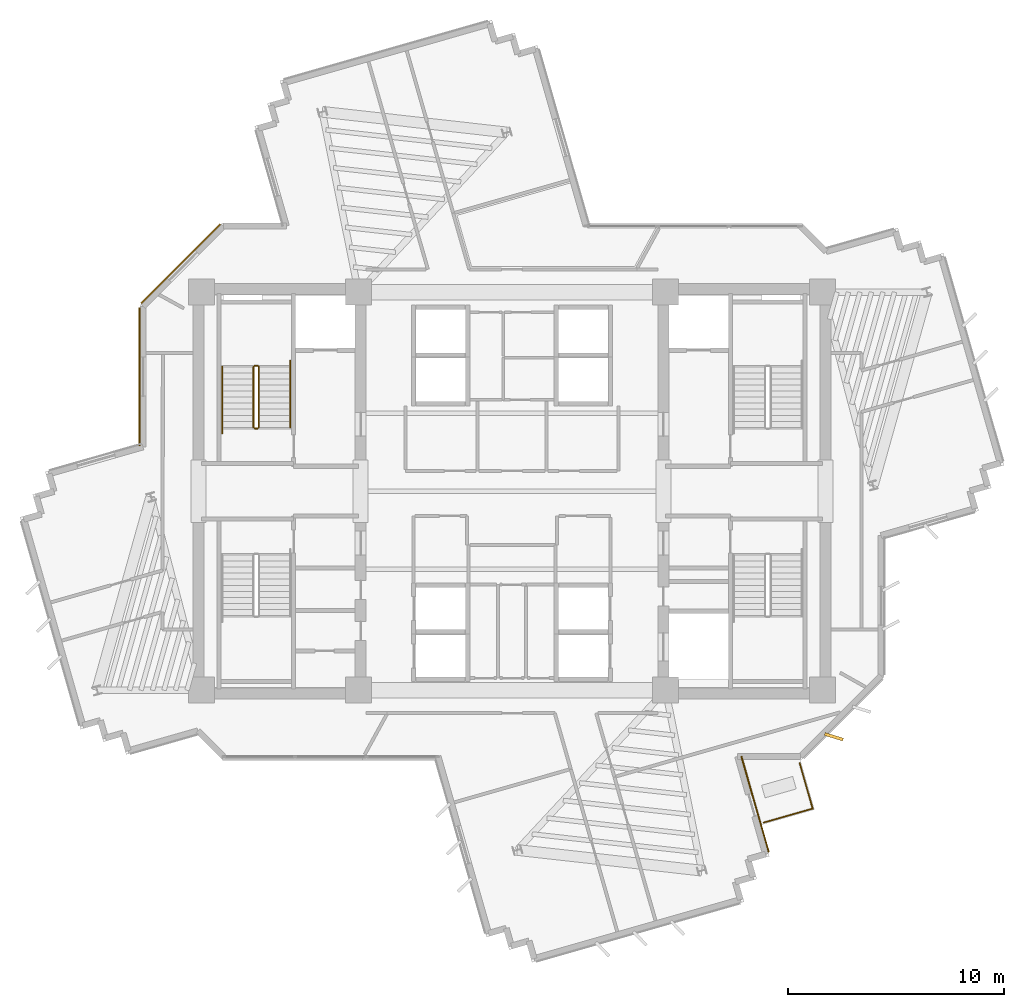
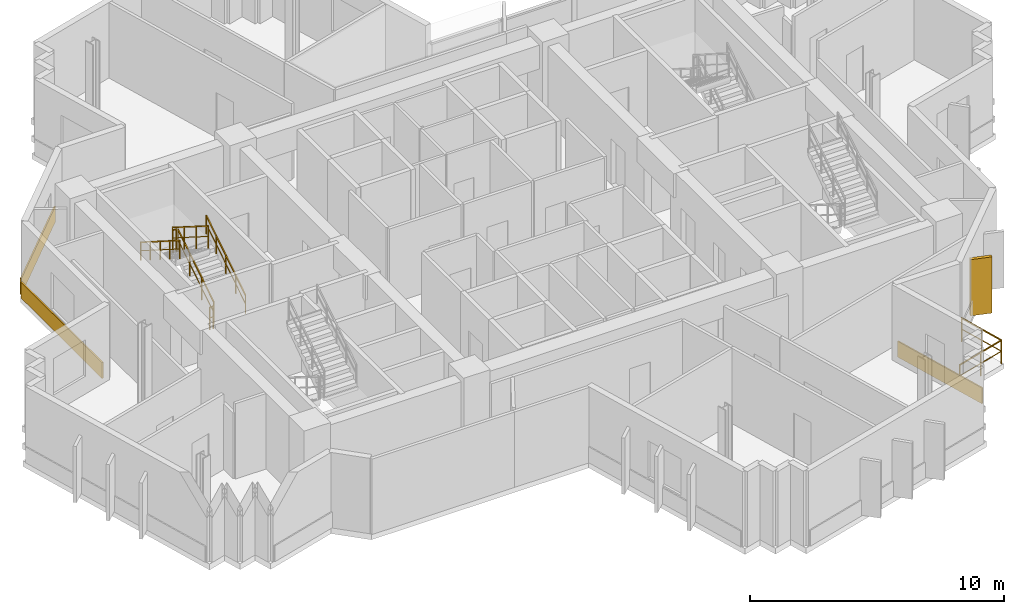
# One storey, part 12 of 14: 8 railings, 4 coverings.
"""IFC4 building model written with IfcOpenShell, lengths in metres."""

from ifc_helpers import new_model, si_unit, direction, frame, origin, origin_2d, place, context, subcontext, project, spatial, rectangle, extrude, source, transform, mapped, material, layer, layer_set, type_object, element, save


model = new_model("IFC4")

# Units and contexts
model_context = context("Model", 3, precision=1e-05, world=origin(), true_north=direction((0.0, 1.0)))
body_context = subcontext(model_context, "Body", "Model", "MODEL_VIEW")
ifc_project = project(units=[si_unit("LENGTHUNIT", "METRE"), si_unit("AREAUNIT", "SQUARE_METRE"), si_unit("VOLUMEUNIT", "CUBIC_METRE"), si_unit("PLANEANGLEUNIT", "RADIAN"), si_unit("MASSUNIT", "GRAM", prefix="KILO")], contexts=[model_context])

# Site, building, storey
site_placement = place(None, origin())
site = spatial("IfcSite", under=ifc_project, at=site_placement, CompositionType="ELEMENT")
building_placement = place(site_placement, origin())
building = spatial("IfcBuilding", under=site, at=building_placement, Name="Zahravan Cultural Tower", CompositionType="ELEMENT")
storey_placement = place(building_placement, frame((0.0, 0.0, 209.699951171875)))
storey = spatial("IfcBuildingStorey", under=building, at=storey_placement, Name="L49", CompositionType="ELEMENT", Elevation=209.699951171875)

# Railings
ifc_material_1 = material(Name="Steel ASTM A572 Grade 50", Category="steel")
railing_type_1 = type_object("IfcRailingType", Name="RL-BAL-1150", PredefinedType="BALUSTRADE", material=ifc_material_1)
railing_1_placement = place(storey_placement, frame((49.900634765625, 12.32666015625, 0.0)))
element("IfcRailing", 1, at=railing_1_placement, inside=storey, type_object=railing_type_1, Name="L49 Edge Balustrade GRD-TR-L49-SE-01", PredefinedType="BALUSTRADE", context=body_context, shape_type="SweptSolid", body=[
    extrude(rectangle(XDim=0.05, YDim=0.05, at=origin_2d()), frame((0.0, 0.0, 1.125), z_axis=(-0.9614494292, -0.274981808654, 0.0), x_axis=(0.274981808654, -0.9614494292, 0.0)), (0.0, 0.0, 1.0), 2.35009765625),
    extrude(rectangle(XDim=0.032, YDim=0.032, at=origin_2d()), frame((0.0, 0.0, 0.597900390625), z_axis=(-0.9614494292, -0.274981808654, 0.0), x_axis=(0.274981808654, -0.9614494292, 0.0)), (0.0, 0.0, 1.0), 2.35009765625),
    extrude(rectangle(XDim=0.04, YDim=0.04, at=origin_2d()), origin(), (0.0, 0.0, 1.0), 1.14990234375),
    extrude(rectangle(XDim=0.04, YDim=0.04, at=origin_2d()), frame((-1.1298828125, -0.3232421875, 0.0)), (0.0, 0.0, 1.0), 1.14990234375),
    extrude(rectangle(XDim=0.04, YDim=0.04, at=origin_2d()), frame((-2.259521484375, -0.646240234375, 0.0)), (0.0, 0.0, 1.0), 1.14990234375),
])
railing_2_placement = place(storey_placement, frame((49.3017578125, 14.419921875, 0.0)))
element("IfcRailing", 2, at=railing_2_placement, inside=storey, type_object=railing_type_1, Name="L49 Edge Balustrade GRD-TR-L49-SE-02", PredefinedType="BALUSTRADE", context=body_context, shape_type="SweptSolid", body=[
    extrude(rectangle(XDim=0.05, YDim=0.05, at=origin_2d()), frame((0.0, 0.0, 1.125), z_axis=(0.275061740463, -0.961426564504, 0.0), x_axis=(0.961426564504, 0.275061740463, 0.0)), (0.0, 0.0, 1.0), 2.17724609375),
    extrude(rectangle(XDim=0.032, YDim=0.032, at=origin_2d()), frame((0.0, 0.0, 0.597900390625), z_axis=(0.275061740463, -0.961426564504, 0.0), x_axis=(0.961426564504, 0.275061740463, 0.0)), (0.0, 0.0, 1.0), 2.17724609375),
    extrude(rectangle(XDim=0.04, YDim=0.04, at=origin_2d()), origin(), (0.0, 0.0, 1.0), 1.14990234375),
    extrude(rectangle(XDim=0.04, YDim=0.04, at=origin_2d()), frame((0.29931640625, -1.046630859375, 0.0)), (0.0, 0.0, 1.0), 1.14990234375),
    extrude(rectangle(XDim=0.04, YDim=0.04, at=origin_2d()), frame((0.598876953125, -2.09326171875, 0.0)), (0.0, 0.0, 1.0), 1.14990234375),
])
railing_type_2 = type_object("IfcRailingType", Name="RL-STAIR-GRD1150", PredefinedType="BALUSTRADE", material=ifc_material_1)
railing_3_placement = place(storey_placement, frame((24.300048828125, 29.949951171875, 0.17724609375)))
element("IfcRailing", 3, at=railing_3_placement, inside=storey, type_object=railing_type_2, Name="L49 ST-W1 stair guard 1", PredefinedType="BALUSTRADE", context=body_context, shape_type="SweptSolid", body=[
    extrude(rectangle(XDim=0.05, YDim=0.05, at=origin_2d()), frame((0.0, 0.0, 1.0751953125), z_axis=(0.0, 0.844908973607, 0.534910110503), x_axis=(-1.0, 0.0, 0.0)), (0.0, 0.0, 1.0), 3.31396484375),
    extrude(rectangle(XDim=0.032, YDim=0.032, at=origin_2d()), frame((0.0, 0.0, 0.572021484375), z_axis=(0.0, 0.844908973607, 0.534910110503), x_axis=(-1.0, 0.0, 0.0)), (0.0, 0.0, 1.0), 3.31396484375),
    extrude(rectangle(XDim=0.04, YDim=0.04, at=origin_2d()), origin(), (0.0, 0.0, 1.0), 1.10009765625),
    extrude(rectangle(XDim=0.04, YDim=0.04, at=origin_2d()), frame((0.0, 0.933349609375, 0.5908203125)), (0.0, 0.0, 1.0), 1.10009765625),
    extrude(rectangle(XDim=0.04, YDim=0.04, at=origin_2d()), frame((0.0, 1.86669921875, 1.181884765625)), (0.0, 0.0, 1.0), 1.10009765625),
    extrude(rectangle(XDim=0.04, YDim=0.04, at=origin_2d()), frame((0.0, 2.800048828125, 1.772705078125)), (0.0, 0.0, 1.0), 1.10009765625),
])
railing_4_placement = place(storey_placement, frame((24.25, 32.800048828125, 1.949951171875)))
element("IfcRailing", 4, at=railing_4_placement, inside=storey, type_object=railing_type_2, Name="L49 ST-W1 stair guard 2", PredefinedType="BALUSTRADE", context=body_context, shape_type="SweptSolid", body=[
    extrude(rectangle(XDim=0.05, YDim=0.05, at=origin_2d()), frame((0.0, 0.0, 1.0751953125), z_axis=(-1.0, 0.0, 0.0), x_axis=(0.0, -1.0, 0.0)), (0.0, 0.0, 1.0), 0.14990234375),
    extrude(rectangle(XDim=0.032, YDim=0.032, at=origin_2d()), frame((0.0, 0.0, 0.572021484375), z_axis=(-1.0, 0.0, 0.0), x_axis=(0.0, -1.0, 0.0)), (0.0, 0.0, 1.0), 0.14990234375),
    extrude(rectangle(XDim=0.04, YDim=0.04, at=origin_2d()), origin(), (0.0, 0.0, 1.0), 1.10009765625),
    extrude(rectangle(XDim=0.04, YDim=0.04, at=origin_2d()), frame((-0.14990234375, 0.0, 0.0)), (0.0, 0.0, 1.0), 1.10009765625),
])
railing_5_placement = place(storey_placement, frame((24.050048828125, 32.75, 2.12744140625)))
element("IfcRailing", 5, at=railing_5_placement, inside=storey, type_object=railing_type_2, Name="L49 ST-W1 stair guard 3", PredefinedType="BALUSTRADE", context=body_context, shape_type="SweptSolid", body=[
    extrude(rectangle(XDim=0.05, YDim=0.05, at=origin_2d()), frame((0.0, 0.0, 1.0751953125), z_axis=(0.0, -0.844908973607, 0.534910110503), x_axis=(1.0, 0.0, 0.0)), (0.0, 0.0, 1.0), 3.31396484375),
    extrude(rectangle(XDim=0.032, YDim=0.032, at=origin_2d()), frame((0.0, 0.0, 0.572021484375), z_axis=(0.0, -0.844908973607, 0.534910110503), x_axis=(1.0, 0.0, 0.0)), (0.0, 0.0, 1.0), 3.31396484375),
    extrude(rectangle(XDim=0.04, YDim=0.04, at=origin_2d()), origin(), (0.0, 0.0, 1.0), 1.10009765625),
    extrude(rectangle(XDim=0.04, YDim=0.04, at=origin_2d()), frame((0.0, -0.933349609375, 0.5908203125)), (0.0, 0.0, 1.0), 1.10009765625),
    extrude(rectangle(XDim=0.04, YDim=0.04, at=origin_2d()), frame((0.0, -1.86669921875, 1.181884765625)), (0.0, 0.0, 1.0), 1.10009765625),
    extrude(rectangle(XDim=0.04, YDim=0.04, at=origin_2d()), frame((0.0, -2.800048828125, 1.772705078125)), (0.0, 0.0, 1.0), 1.10009765625),
])
railing_6_placement = place(storey_placement, frame((24.25, 29.89990234375, 0.0)))
element("IfcRailing", 6, at=railing_6_placement, inside=storey, type_object=railing_type_2, Name="L49 ST-W1 stair guard 4", PredefinedType="BALUSTRADE", context=body_context, shape_type="SweptSolid", body=[
    extrude(rectangle(XDim=0.05, YDim=0.05, at=origin_2d()), frame((0.0, 0.0, 1.0751953125), z_axis=(-1.0, 0.0, 0.0), x_axis=(0.0, -1.0, 0.0)), (0.0, 0.0, 1.0), 0.14990234375),
    extrude(rectangle(XDim=0.032, YDim=0.032, at=origin_2d()), frame((0.0, 0.0, 0.572021484375), z_axis=(-1.0, 0.0, 0.0), x_axis=(0.0, -1.0, 0.0)), (0.0, 0.0, 1.0), 0.14990234375),
    extrude(rectangle(XDim=0.04, YDim=0.04, at=origin_2d()), origin(), (0.0, 0.0, 1.0), 1.10009765625),
    extrude(rectangle(XDim=0.04, YDim=0.04, at=origin_2d()), frame((-0.14990234375, 0.0, 0.0)), (0.0, 0.0, 1.0), 1.10009765625),
])
railing_type_3 = type_object("IfcRailingType", Name="RL-STAIR-HR900", PredefinedType="HANDRAIL", material=ifc_material_1)
railing_7_placement = place(storey_placement, frame((25.75, 29.949951171875, 0.17724609375)))
element("IfcRailing", 7, at=railing_7_placement, inside=storey, type_object=railing_type_3, Name="L49 ST-W1 stair handrail 1", PredefinedType="HANDRAIL", context=body_context, shape_type="SweptSolid", body=[
    extrude(rectangle(XDim=0.05, YDim=0.05, at=origin_2d()), frame((0.0, 0.0, 0.875), z_axis=(0.0, 0.844883648757, 0.534950109882), x_axis=(-1.0, 0.0, 0.0)), (0.0, 0.0, 1.0), 3.6455078125),
    extrude(rectangle(XDim=0.032, YDim=0.032, at=origin_2d()), frame((0.0, 0.0, 0.468017578125), z_axis=(0.0, 0.844883648757, 0.534950109882), x_axis=(-1.0, 0.0, 0.0)), (0.0, 0.0, 1.0), 3.6455078125),
    extrude(rectangle(XDim=0.04, YDim=0.04, at=origin_2d()), origin(), (0.0, 0.0, 1.0), 0.89990234375),
    extrude(rectangle(XDim=0.04, YDim=0.04, at=origin_2d()), frame((0.0, 0.77001953125, 0.487548828125)), (0.0, 0.0, 1.0), 0.89990234375),
    extrude(rectangle(XDim=0.04, YDim=0.04, at=origin_2d()), frame((0.0, 1.5400390625, 0.97509765625)), (0.0, 0.0, 1.0), 0.89990234375),
    extrude(rectangle(XDim=0.04, YDim=0.04, at=origin_2d()), frame((0.0, 2.31005859375, 1.462646484375)), (0.0, 0.0, 1.0), 0.89990234375),
    extrude(rectangle(XDim=0.04, YDim=0.04, at=origin_2d()), frame((0.0, 3.080078125, 1.9501953125)), (0.0, 0.0, 1.0), 0.89990234375),
])
railing_8_placement = place(storey_placement, frame((22.60009765625, 32.75, 2.12744140625)))
element("IfcRailing", 8, at=railing_8_placement, inside=storey, type_object=railing_type_3, Name="L49 ST-W1 stair handrail 2", PredefinedType="HANDRAIL", context=body_context, shape_type="SweptSolid", body=[
    extrude(rectangle(XDim=0.05, YDim=0.05, at=origin_2d()), frame((0.0, 0.0, 0.875), z_axis=(0.0, -0.844913916606, 0.534902302785), x_axis=(1.0, 0.0, 0.0)), (0.0, 0.0, 1.0), 3.6455078125),
    extrude(rectangle(XDim=0.032, YDim=0.032, at=origin_2d()), frame((0.0, 0.0, 0.468017578125), z_axis=(0.0, -0.844913916606, 0.534902302785), x_axis=(1.0, 0.0, 0.0)), (0.0, 0.0, 1.0), 3.6455078125),
    extrude(rectangle(XDim=0.04, YDim=0.04, at=origin_2d()), origin(), (0.0, 0.0, 1.0), 0.89990234375),
    extrude(rectangle(XDim=0.04, YDim=0.04, at=origin_2d()), frame((0.0, -0.77001953125, 0.487548828125)), (0.0, 0.0, 1.0), 0.89990234375),
    extrude(rectangle(XDim=0.04, YDim=0.04, at=origin_2d()), frame((0.0, -1.5400390625, 0.97509765625)), (0.0, 0.0, 1.0), 0.89990234375),
    extrude(rectangle(XDim=0.04, YDim=0.04, at=origin_2d()), frame((0.0, -2.31005859375, 1.46240234375)), (0.0, 0.0, 1.0), 0.89990234375),
    extrude(rectangle(XDim=0.04, YDim=0.04, at=origin_2d()), frame((0.0, -3.080078125, 1.949951171875)), (0.0, 0.0, 1.0), 0.89990234375),
])

# Coverings
ifc_material_2 = material(Name="Terracotta ceramic cladding", Category="masonry")
ifc_layer = layer(ifc_material_2, 0.06005859375)
ifc_layer_set = layer_set([ifc_layer], Name="Terracotta ceramic cladding")
covering_type = type_object("IfcCoveringType", Name="COV-CLAD-TC60", PredefinedType="CLADDING", material=ifc_layer_set)
shared_shape_1 = source(origin(), body_context, "Body", "SweptSolid", [
    extrude(rectangle(XDim=5.157958984375, YDim=0.06005859375, at=origin_2d()), origin(), (0.0, 0.0, 1.0), 0.760009765625),
])
covering_1_placement = place(storey_placement, frame((20.682373046875, 37.517578125, 0.02001953125), z_axis=(0.0, 0.0, 1.0), x_axis=(0.707106781187, 0.707106781187, 0.0)))
element("IfcCovering", 9, at=covering_1_placement, inside=storey, type_object=covering_type, Name="L49 Terracotta Spandrel Cladding 39", PredefinedType="CLADDING", context=body_context, shape_type="MappedRepresentation", body=[
    mapped(shared_shape_1, transform((0.0, 0.0, 0.0), x_axis=(1.0, 0.0, 0.0), y_axis=(0.0, 1.0, 0.0), z_axis=(0.0, 0.0, 1.0), scale=1.0)),
])
shared_shape_2 = source(origin(), body_context, "Body", "SweptSolid", [
    extrude(rectangle(XDim=0.8798828125, YDim=0.139892578125, at=origin_2d()), origin(), (0.0, 0.0, 1.0), 2.699951171875),
])
covering_2_placement = place(storey_placement, frame((50.8828125, 15.644287109375, 0.05029296875), z_axis=(0.0, 0.0, 1.0), x_axis=(0.956304755963, -0.292371704723, 0.0)))
element("IfcCovering", 10, at=covering_2_placement, inside=storey, type_object=covering_type, Name="L49 Herringbone Terracotta Fin 08", PredefinedType="CLADDING", context=body_context, shape_type="MappedRepresentation", body=[
    mapped(shared_shape_2, transform((0.0, 0.0, 0.0), x_axis=(1.0, 0.0, 0.0), y_axis=(0.0, 1.0, 0.0), z_axis=(0.0, 0.0, 1.0), scale=1.0)),
])
shared_shape_3 = source(origin(), body_context, "Body", "SweptSolid", [
    extrude(rectangle(XDim=6.39404296875, YDim=0.06005859375, at=origin_2d()), origin(), (0.0, 0.0, 1.0), 0.760009765625),
])
covering_3_placement = place(storey_placement, frame((18.77490234375, 32.294921875, 0.02001953125), z_axis=(0.0, 0.0, 1.0), x_axis=(0.0, 1.0, 0.0)))
element("IfcCovering", 11, at=covering_3_placement, inside=storey, type_object=covering_type, Name="L49 Terracotta Spandrel Cladding 38", PredefinedType="CLADDING", context=body_context, shape_type="MappedRepresentation", body=[
    mapped(shared_shape_3, transform((0.0, 0.0, 0.0), x_axis=(1.0, 0.0, 0.0), y_axis=(0.0, 1.0, 0.0), z_axis=(0.0, 0.0, 1.0), scale=1.0)),
])
shared_shape_4 = source(origin(), body_context, "Body", "SweptSolid", [
    extrude(rectangle(XDim=4.603759765625, YDim=0.06005859375, at=origin_2d()), origin(), (0.0, 0.0, 1.0), 0.760009765625),
])
covering_4_placement = place(storey_placement, frame((47.238525390625, 12.524169921875, 0.02001953125), z_axis=(0.0, 0.0, 1.0), x_axis=(0.274966201438, -0.961453892845, 0.0)))
element("IfcCovering", 12, at=covering_4_placement, inside=storey, type_object=covering_type, Name="L49 Terracotta Spandrel Cladding 15", PredefinedType="CLADDING", context=body_context, shape_type="MappedRepresentation", body=[
    mapped(shared_shape_4, transform((0.0, 0.0, 0.0), x_axis=(1.0, 0.0, 0.0), y_axis=(0.0, 1.0, 0.0), z_axis=(0.0, 0.0, 1.0), scale=1.0)),
])

save(model, "model.ifc")
